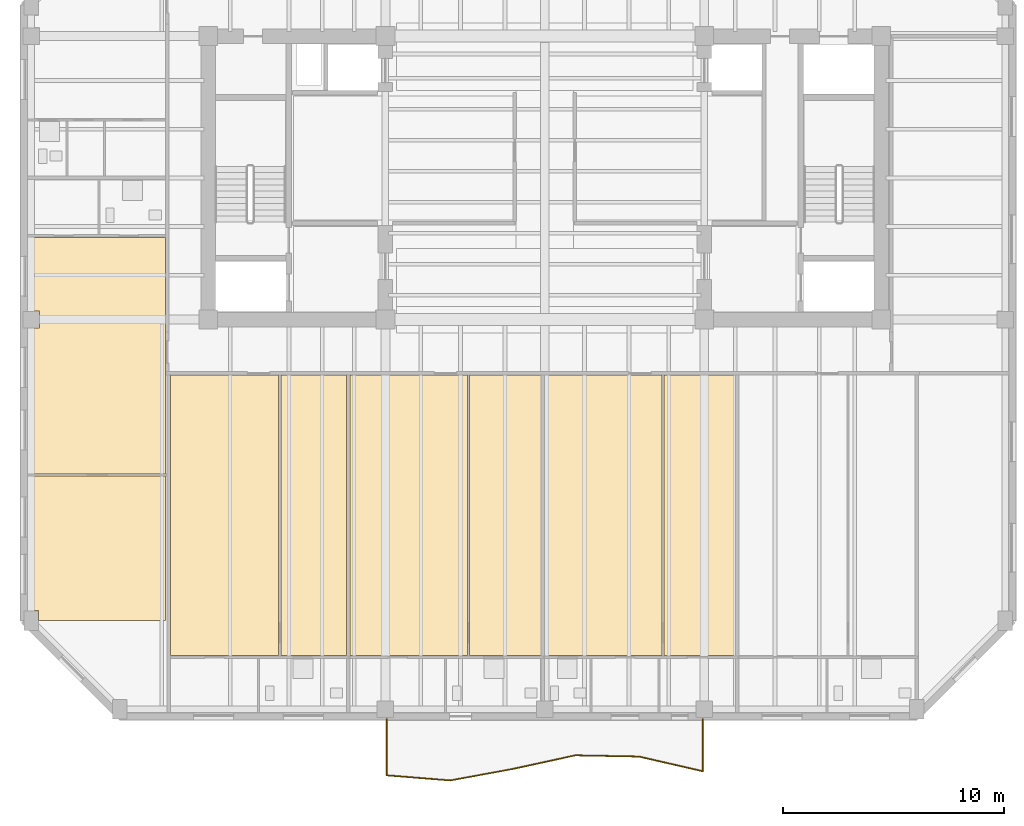
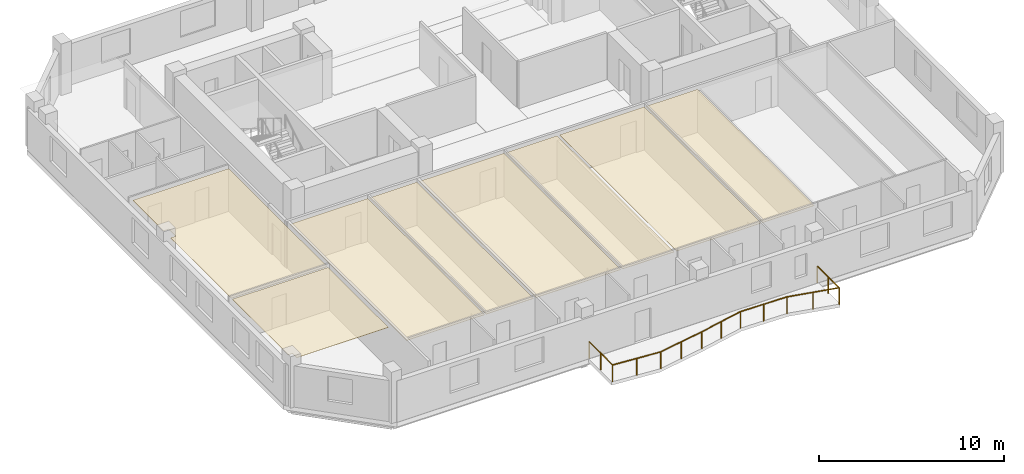
# One storey, part 7 of 11: 8 coverings, 1 railing.
"""IFC4 building model written with IfcOpenShell, lengths in metres."""

from ifc_helpers import new_model, si_unit, direction, frame, origin, origin_2d, place, context, subcontext, project, spatial, polyline, circle, outline, extrude, material, layer, layer_set, type_object, element, save


model = new_model("IFC4")

# Units and contexts
model_context = context("Model", 3, precision=1e-05, world=origin(), true_north=direction((0.0, 1.0)))
body_context = subcontext(model_context, "Body", "Model", "MODEL_VIEW")
ifc_project = project(units=[si_unit("LENGTHUNIT", "METRE"), si_unit("AREAUNIT", "SQUARE_METRE"), si_unit("VOLUMEUNIT", "CUBIC_METRE"), si_unit("PLANEANGLEUNIT", "RADIAN"), si_unit("MASSUNIT", "GRAM", prefix="KILO")], contexts=[model_context])

# Site, building, storey
site_placement = place(None, origin())
site = spatial("IfcSite", under=ifc_project, at=site_placement, CompositionType="ELEMENT")
building_placement = place(site_placement, origin())
building = spatial("IfcBuilding", under=site, at=building_placement, Name="Kranthara Brick Stack", CompositionType="ELEMENT")
storey_placement = place(building_placement, frame((0.0, 0.0, 217.699951171875)))
storey = spatial("IfcBuildingStorey", under=building, at=storey_placement, Name="L56", CompositionType="ELEMENT", Elevation=217.699951171875)

# Coverings
ifc_material_1 = material(Name="Perforated mineral-fibre acoustic ceiling tile", Category="other")
ifc_layer = layer(ifc_material_1, 0.02490234375)
ifc_layer_set = layer_set([ifc_layer], Name="Perforated mineral-fibre acoustic ceiling tile")
covering_type = type_object("IfcCoveringType", Name="COV-CEIL-ACOUSTIC", PredefinedType="CEILING", material=ifc_layer_set)
covering_1_placement = place(storey_placement, frame((0.0, 0.0, 2.830078125)))
element("IfcCovering", 1, at=covering_1_placement, inside=storey, type_object=covering_type, Name="L56 Unit L56A Studio Apartment Living Acoustic Ceiling", PredefinedType="CEILING", context=body_context, shape_type="SweptSolid", body=[
    extrude(outline(polyline([(15.97705078125, 5.6298828125), (15.97705078125, 18.300048828125), (11.10009765625, 18.300048828125), (11.10009765625, 5.6298828125), (15.97705078125, 5.6298828125)])), origin(), (0.0, 0.0, 1.0), 0.02490234375),
])
covering_2_placement = place(storey_placement, frame((0.0, 0.0, 2.830078125)))
element("IfcCovering", 2, at=covering_2_placement, inside=storey, type_object=covering_type, Name="L56 Unit L56A Private Study Room Acoustic Ceiling", PredefinedType="CEILING", context=body_context, shape_type="SweptSolid", body=[
    extrude(outline(polyline([(19.047119140625, 5.6298828125), (19.047119140625, 18.300048828125), (16.076904296875, 18.300048828125), (16.076904296875, 5.6298828125), (19.047119140625, 5.6298828125)])), origin(), (0.0, 0.0, 1.0), 0.02490234375),
])
covering_3_placement = place(storey_placement, frame((0.0, 0.0, 2.830078125)))
element("IfcCovering", 3, at=covering_3_placement, inside=storey, type_object=covering_type, Name="L56 Unit L56B Studio Apartment Living Acoustic Ceiling", PredefinedType="CEILING", context=body_context, shape_type="SweptSolid", body=[
    extrude(outline(polyline([(24.5029296875, 5.6298828125), (24.5029296875, 18.300048828125), (19.20703125, 18.300048828125), (19.20703125, 5.6298828125), (24.5029296875, 5.6298828125)])), origin(), (0.0, 0.0, 1.0), 0.02490234375),
])
covering_4_placement = place(storey_placement, frame((0.0, 0.0, 2.830078125)))
element("IfcCovering", 4, at=covering_4_placement, inside=storey, type_object=covering_type, Name="L56 Unit L56B Private Study Room Acoustic Ceiling", PredefinedType="CEILING", context=body_context, shape_type="SweptSolid", body=[
    extrude(outline(polyline([(27.830078125, 5.6298828125), (27.830078125, 18.300048828125), (24.60302734375, 18.300048828125), (24.60302734375, 5.6298828125), (27.830078125, 5.6298828125)])), origin(), (0.0, 0.0, 1.0), 0.02490234375),
])
covering_5_placement = place(storey_placement, frame((0.0, 0.0, 2.830078125)))
element("IfcCovering", 5, at=covering_5_placement, inside=storey, type_object=covering_type, Name="L56 Unit L56C 1-Bed Apartment Living Dining Acoustic Ceiling", PredefinedType="CEILING", context=body_context, shape_type="SweptSolid", body=[
    extrude(outline(polyline([(33.285888671875, 5.6298828125), (33.285888671875, 18.300048828125), (27.989990234375, 18.300048828125), (27.989990234375, 5.6298828125), (33.285888671875, 5.6298828125)])), origin(), (0.0, 0.0, 1.0), 0.02490234375),
])
covering_6_placement = place(storey_placement, frame((0.0, 0.0, 2.830078125)))
element("IfcCovering", 6, at=covering_6_placement, inside=storey, type_object=covering_type, Name="L56 Unit L56C Private Study Room Acoustic Ceiling", PredefinedType="CEILING", context=body_context, shape_type="SweptSolid", body=[
    extrude(outline(polyline([(36.613037109375, 5.6298828125), (36.613037109375, 18.300048828125), (33.385986328125, 18.300048828125), (33.385986328125, 5.6298828125), (36.613037109375, 5.6298828125)])), origin(), (0.0, 0.0, 1.0), 0.02490234375),
])
covering_7_placement = place(storey_placement, frame((0.0, 0.0, 2.830078125)))
element("IfcCovering", 7, at=covering_7_placement, inside=storey, type_object=covering_type, Name="L56 Unit L56E Private Study Room Acoustic Ceiling", PredefinedType="CEILING", context=body_context, shape_type="SweptSolid", body=[
    extrude(outline(polyline([(4.8701171875, 13.72802734375), (10.860107421875, 13.72802734375), (10.860107421875, 7.199951171875), (5.135009765625, 7.199951171875), (5.135009765625, 7.659912109375), (4.8701171875, 7.659912109375), (4.8701171875, 13.72802734375)])), origin(), (0.0, 0.0, 1.0), 0.02490234375),
])
covering_8_placement = place(storey_placement, frame((0.0, 0.0, 2.830078125)))
element("IfcCovering", 8, at=covering_8_placement, inside=storey, type_object=covering_type, Name="L56 Unit L56E Studio Apartment Living Acoustic Ceiling", PredefinedType="CEILING", context=body_context, shape_type="SweptSolid", body=[
    extrude(outline(polyline([(4.8701171875, 24.510009765625), (10.860107421875, 24.510009765625), (10.860107421875, 13.827880859375), (4.8701171875, 13.827880859375), (4.8701171875, 20.4150390625), (5.18505859375, 20.4150390625), (5.18505859375, 21.18505859375), (4.8701171875, 21.18505859375), (4.8701171875, 24.510009765625)])), origin(), (0.0, 0.0, 1.0), 0.02490234375),
])

# Railing
ifc_material_2 = material(Name="Bronze anodised aluminium and laminated glass balustrade", Category="aluminium")
railing_type = type_object("IfcRailingType", Name="RL-BALC-1120", PredefinedType="BALUSTRADE", material=ifc_material_2)
railing_placement = place(storey_placement, frame((35.139892578125, 2.760009765625, 0.0)))
element("IfcRailing", 9, at=railing_placement, inside=storey, type_object=railing_type, Name="L56 South Rippling Balcony Balustrade", PredefinedType="BALUSTRADE", context=body_context, shape_type="SweptSolid", body=[
    extrude(circle(Radius=0.02392578125, at=origin_2d()), frame((0.0, 0.0, 1.09619140625), z_axis=(0.000206675618, -0.999999978643, 0.0), x_axis=(0.999999978643, 0.000206675618, 0.0)), (0.0, 0.0, 1.0), 2.362548828125),
    extrude(circle(Radius=0.02392578125, at=origin_2d()), frame((0.00048828125, -2.362548828125, 1.09619140625), z_axis=(-0.974402330293, 0.224811251319, 0.0), x_axis=(-0.224811251319, -0.974402330293, 0.0)), (0.0, 0.0, 1.0), 2.9560546875),
    extrude(circle(Radius=0.02392578125, at=origin_2d()), frame((-2.8798828125, -1.697998046875, 1.09619140625), z_axis=(-0.999811645893, 0.019408058567, 0.0), x_axis=(-0.019408058567, -0.999811645893, 0.0)), (0.0, 0.0, 1.0), 2.880615234375),
    extrude(circle(Radius=0.02392578125, at=origin_2d()), frame((-5.760009765625, -1.64208984375, 1.09619140625), z_axis=(-0.977042220339, -0.213045768967, 0.0), x_axis=(0.213045768967, -0.977042220339, 0.0)), (0.0, 0.0, 1.0), 2.829345703125),
    extrude(circle(Radius=0.02392578125, at=origin_2d()), frame((-8.5244140625, -2.244873046875, 1.09619140625), z_axis=(-0.983395240625, -0.181476722243, 0.0), x_axis=(0.181476722243, -0.983395240625, 0.0)), (0.0, 0.0, 1.0), 2.926025390625),
    extrude(circle(Radius=0.02392578125, at=origin_2d()), frame((-11.40185546875, -2.77587890625, 1.09619140625), z_axis=(-0.996803169794, 0.079896437274, 0.0), x_axis=(-0.079896437274, -0.996803169794, 0.0)), (0.0, 0.0, 1.0), 2.8876953125),
    extrude(circle(Radius=0.02392578125, at=origin_2d()), frame((-14.2802734375, -2.545166015625, 1.09619140625), z_axis=(0.000191846519, 0.999999981597, 0.0), x_axis=(-0.999999981597, 0.000191846519, 0.0)), (0.0, 0.0, 1.0), 2.545166015625),
    extrude(circle(Radius=0.02099609375, at=origin_2d()), origin(), (0.0, 0.0, 1.0), 1.072021484375),
    extrude(circle(Radius=0.02099609375, at=origin_2d()), frame((0.000244140625, -1.18115234375, 0.0)), (0.0, 0.0, 1.0), 1.072021484375),
    extrude(circle(Radius=0.02099609375, at=origin_2d()), frame((0.00048828125, -2.362548828125, 0.0)), (0.0, 0.0, 1.0), 1.072021484375),
    extrude(circle(Radius=0.02099609375, at=origin_2d()), frame((-1.439697265625, -2.0302734375, 0.0)), (0.0, 0.0, 1.0), 1.072021484375),
    extrude(circle(Radius=0.02099609375, at=origin_2d()), frame((-2.8798828125, -1.697998046875, 0.0)), (0.0, 0.0, 1.0), 1.072021484375),
    extrude(circle(Radius=0.02099609375, at=origin_2d()), frame((-4.31982421875, -1.669921875, 0.0)), (0.0, 0.0, 1.0), 1.072021484375),
    extrude(circle(Radius=0.02099609375, at=origin_2d()), frame((-5.760009765625, -1.64208984375, 0.0)), (0.0, 0.0, 1.0), 1.072021484375),
    extrude(circle(Radius=0.02099609375, at=origin_2d()), frame((-7.14208984375, -1.943359375, 0.0)), (0.0, 0.0, 1.0), 1.072021484375),
    extrude(circle(Radius=0.02099609375, at=origin_2d()), frame((-8.5244140625, -2.244873046875, 0.0)), (0.0, 0.0, 1.0), 1.072021484375),
    extrude(circle(Radius=0.02099609375, at=origin_2d()), frame((-9.963134765625, -2.51025390625, 0.0)), (0.0, 0.0, 1.0), 1.072021484375),
    extrude(circle(Radius=0.02099609375, at=origin_2d()), frame((-11.40185546875, -2.77587890625, 0.0)), (0.0, 0.0, 1.0), 1.072021484375),
    extrude(circle(Radius=0.02099609375, at=origin_2d()), frame((-12.841064453125, -2.66064453125, 0.0)), (0.0, 0.0, 1.0), 1.072021484375),
    extrude(circle(Radius=0.02099609375, at=origin_2d()), frame((-14.2802734375, -2.545166015625, 0.0)), (0.0, 0.0, 1.0), 1.072021484375),
    extrude(circle(Radius=0.02099609375, at=origin_2d()), frame((-14.280029296875, -1.2724609375, 0.0)), (0.0, 0.0, 1.0), 1.072021484375),
    extrude(circle(Radius=0.02099609375, at=origin_2d()), frame((-14.27978515625, 0.0, 0.0)), (0.0, 0.0, 1.0), 1.072021484375),
])

save(model, "model.ifc")
